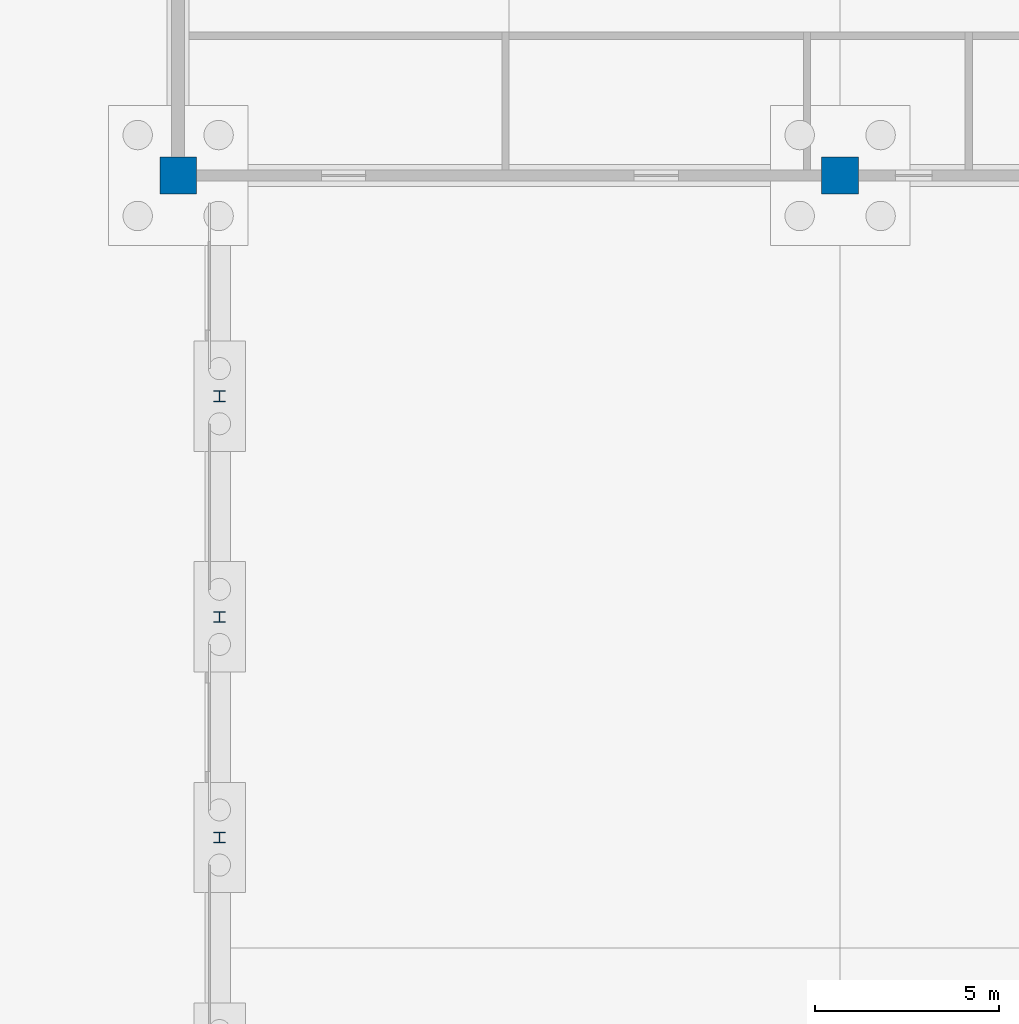
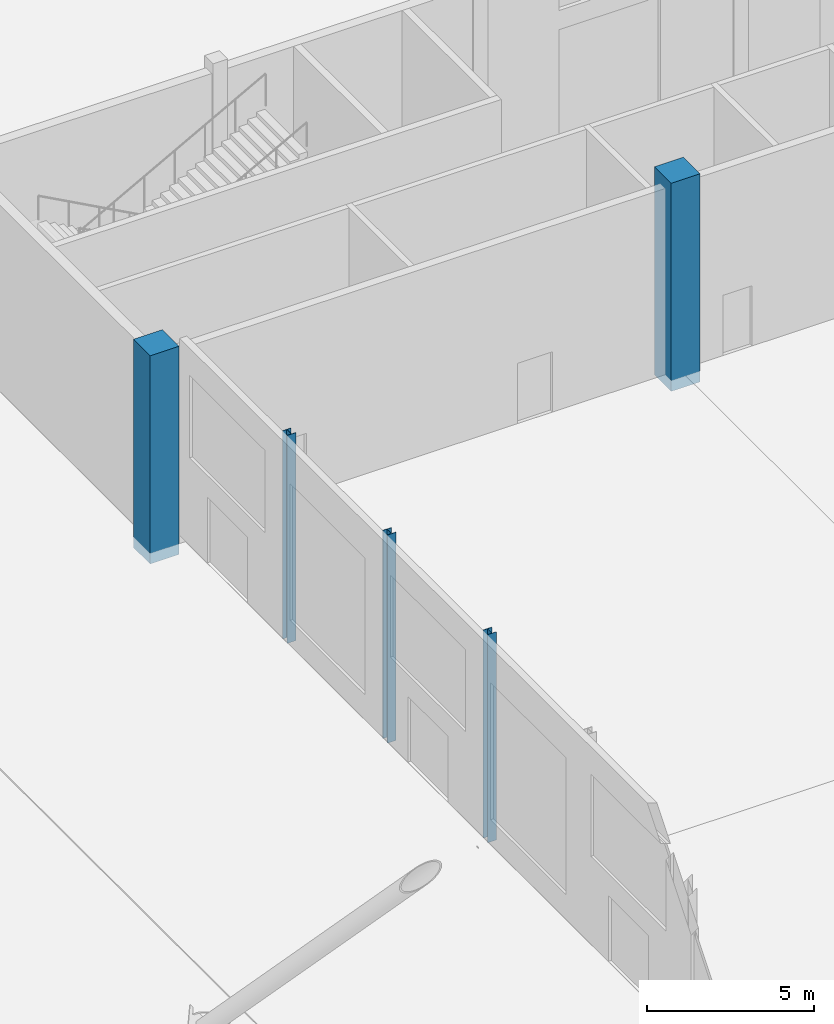
# One storey, part 33 of 239: 5 columns.
"""IFC4 building model written with IfcOpenShell, lengths in metres."""

from ifc_helpers import new_model, si_unit, direction, frame, origin, origin_2d, place, context, subcontext, project, spatial, rectangle, i_section, extrude, material, material_profile, profile_set, type_object, element, save


model = new_model("IFC4")

# Units and contexts
model_context = context("Model", 3, precision=1e-05, world=origin(), true_north=direction((0.0, 1.0)))
body_context = subcontext(model_context, "Body", "Model", "MODEL_VIEW")
ifc_project = project(units=[si_unit("LENGTHUNIT", "METRE"), si_unit("AREAUNIT", "SQUARE_METRE"), si_unit("VOLUMEUNIT", "CUBIC_METRE"), si_unit("PLANEANGLEUNIT", "RADIAN"), si_unit("MASSUNIT", "GRAM", prefix="KILO")], contexts=[model_context])

# Site, building, storey
site_placement = place(None, origin())
site = spatial("IfcSite", under=ifc_project, at=site_placement, CompositionType="ELEMENT")
building_placement = place(site_placement, origin())
building = spatial("IfcBuilding", under=site, at=building_placement, Name="Okhra Congress Centre", CompositionType="ELEMENT")
storey_placement = place(building_placement, origin())
storey = spatial("IfcBuildingStorey", under=building, at=storey_placement, Name="L00", CompositionType="ELEMENT", Elevation=0.0)

# Columns
ifc_material_1 = material(Name="Steel S355J2", Category="steel")
ifc_material_profile_1 = material_profile(ifc_material_1, i_section(OverallWidth=0.300048828125, OverallDepth=0.2900390625, WebThickness=0.008544921875, FlangeThickness=0.013916015625, at=origin_2d()), Name="HE 300 A")
ifc_profile_set_1 = profile_set([ifc_material_profile_1], Name="Steel S355J2")
column_type_1 = type_object("IfcColumnType", Name="HE 300 A", PredefinedType="COLUMN", material=ifc_profile_set_1)
for number, where, z_axis, x_axis, name in (
    (1, (29.125, 198.0, -0.39990234375), (0.0, 0.0, 1.0), (1.0, 0.0, 0.0), "EH.COL.L00.WP35"),
    (2, (29.125, 204.0, -0.39990234375), (0.0, 0.0, 1.0), (1.0, 0.0, 0.0), "EH.COL.L00.WP37"),
    (3, (29.125, 210.0, -0.39990234375), (0.0, 0.0, 1.0), (1.0, 0.0, 0.0), "EH.COL.L00.WP39"),
):
    element("IfcColumn", number, at=place(storey_placement, frame(where, z_axis=z_axis, x_axis=x_axis)), inside=storey, type_object=column_type_1, Name=name, PredefinedType="COLUMN", context=body_context, shape_type="SweptSolid", body=[
        extrude(i_section(OverallWidth=0.300048828125, OverallDepth=0.2900390625, WebThickness=0.008544921875, FlangeThickness=0.013916015625, at=origin_2d()), origin(), (0.0, 0.0, 1.0), 7.599853515625),
    ])
ifc_material_2 = material(Name="Concrete C40/50", Category="concrete")
ifc_material_profile_2 = material_profile(ifc_material_2, rectangle(XDim=1.0, YDim=1.0, at=origin_2d()), Name="RC 1000x1000")
ifc_profile_set_2 = profile_set([ifc_material_profile_2], Name="Concrete C40/50")
column_type_2 = type_object("IfcColumnType", Name="RC column 1000x1000 C40/50", PredefinedType="COLUMN", material=ifc_profile_set_2)
for number, where, z_axis, x_axis, name in (
    (4, (28.0, 216.0, -0.39990234375), (0.0, 0.0, 1.0), (1.0, 0.0, 0.0), "EH.COL.L00.SC2"),
    (5, (46.0, 216.0, -0.39990234375), (0.0, 0.0, 1.0), (1.0, 0.0, 0.0), "EH.COL.L00.SC4"),
):
    element("IfcColumn", number, at=place(storey_placement, frame(where, z_axis=z_axis, x_axis=x_axis)), inside=storey, type_object=column_type_2, Name=name, PredefinedType="COLUMN", context=body_context, shape_type="SweptSolid", body=[
        extrude(rectangle(XDim=1.0, YDim=1.0, at=origin_2d()), origin(), (0.0, 0.0, 1.0), 7.599853515625),
    ])

save(model, "model.ifc")
